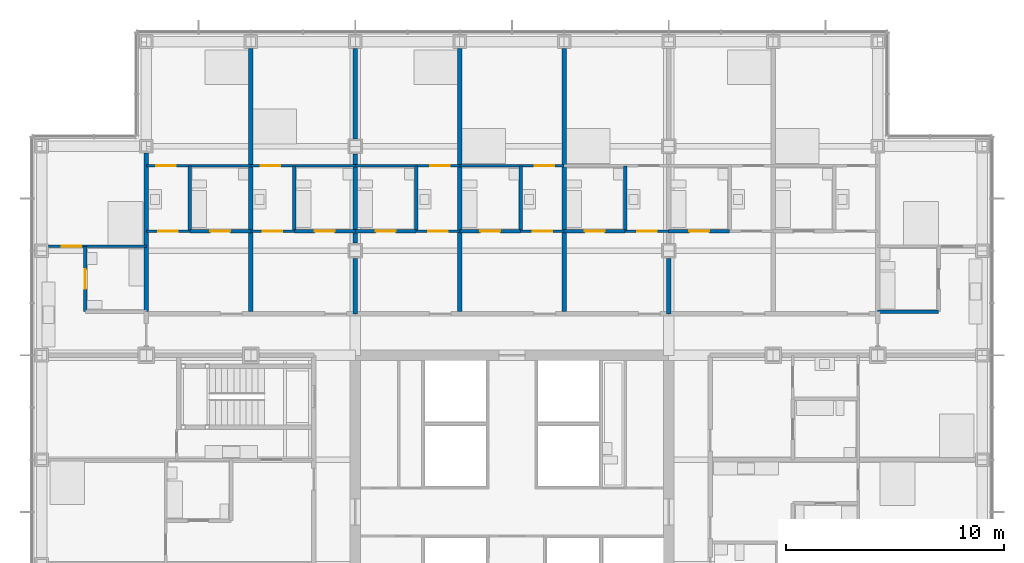
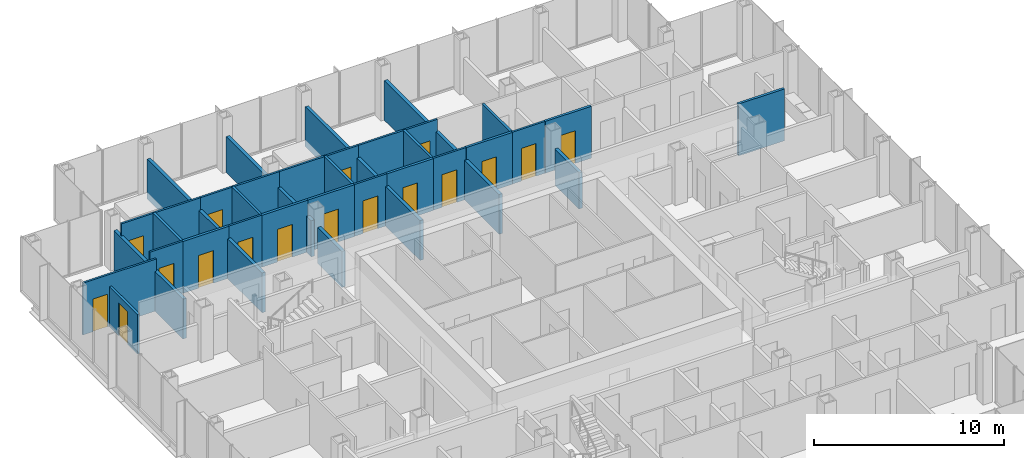
# One storey, part 18 of 22: 31 walls, 17 doors, 17 openings.
"""IFC4 building model written with IfcOpenShell, lengths in metres."""

from ifc_helpers import new_model, si_unit, direction, frame, frame_2d, origin, place, context, subcontext, project, spatial, rectangle, extrude, material, layer, layer_set, type_object, element, fill, save


model = new_model("IFC4")

# Units and contexts
model_context = context("Model", 3, precision=1e-05, world=origin(), true_north=direction((0.0, 1.0)))
body_context = subcontext(model_context, "Body", "Model", "MODEL_VIEW")
ifc_project = project(units=[si_unit("LENGTHUNIT", "METRE"), si_unit("AREAUNIT", "SQUARE_METRE"), si_unit("VOLUMEUNIT", "CUBIC_METRE"), si_unit("PLANEANGLEUNIT", "RADIAN"), si_unit("MASSUNIT", "GRAM", prefix="KILO")], contexts=[model_context])

# Site, building, storey
site_placement = place(None, origin())
site = spatial("IfcSite", under=ifc_project, at=site_placement, CompositionType="ELEMENT")
building_placement = place(site_placement, origin())
building = spatial("IfcBuilding", under=site, at=building_placement, Name="Kvirike Care Tower", CompositionType="ELEMENT")
storey_placement = place(building_placement, frame((0.0, 0.0, 69.0)))
storey = spatial("IfcBuildingStorey", under=building, at=storey_placement, Name="L18", CompositionType="ELEMENT", Elevation=69.0)

# Wall
ifc_material_1 = material(Name="Moisture-resistant board partition", Category="gypsum")
ifc_layer_1 = layer(ifc_material_1, 0.14990234375)
ifc_layer_set_1 = layer_set([ifc_layer_1], Name="BATHROOM WALL 150")
wall_type_1 = type_object("IfcWallType", Name="BATHROOM WALL 150", PredefinedType="PARTITIONING", material=ifc_layer_set_1)
wall_1_placement = place(storey_placement, frame((11.60009765625, 51.89990234375, 0.0), z_axis=(0.0, 0.0, 1.0), x_axis=(0.0, -1.0, 0.0)))
element("IfcWall", 1, at=wall_1_placement, inside=storey, type_object=wall_type_1, Name="Bathroom Wall 150 L18", PredefinedType="PARTITIONING", context=body_context, shape_type="SweptSolid", body=[
    extrude(rectangle(XDim=3.0, YDim=0.14990234375, at=frame_2d((1.5, 0.0))), origin(), (0.0, 0.0, 1.0), 3.330078125),
])

# Wall, opening, door
wall_2_placement = place(storey_placement, frame((14.39990234375, 48.89990234375, 0.0), z_axis=(0.0, 0.0, 1.0), x_axis=(-1.0, 0.0, 0.0)))
wall_2 = element("IfcWall", 2, at=wall_2_placement, inside=storey, type_object=wall_type_1, Name="Bathroom Wall 150 L18", PredefinedType="PARTITIONING", context=body_context, shape_type="SweptSolid", body=[
    extrude(rectangle(XDim=2.7998046875, YDim=0.14990234375, at=frame_2d((1.39990234375, 0.0))), origin(), (0.0, 0.0, 1.0), 3.330078125),
])
opening_1_placement = place(wall_2_placement, frame((0.949951171875, 0.0, 0.0)))
opening_1 = element("IfcOpeningElement", 3, at=opening_1_placement, cuts=wall_2, Name="Opening 18-022", PredefinedType="OPENING", context=body_context, shape_type="SweptSolid", body=[
    extrude(rectangle(XDim=0.89990234375, YDim=2.10009765625, at=frame_2d((0.449951171875, 1.050048828125))), frame((0.0, 0.08544921875, 0.0), z_axis=(0.0, -1.0, 0.0), x_axis=(1.0, 0.0, 0.0)), (0.0, 0.0, 1.0), 0.1708984375),
])
ifc_material_2 = material(Name="Timber door set", Category="wood")
door_type_1 = type_object("IfcDoorType", Name="BATHROOM DOOR 900", OperationType="SINGLE_SWING_RIGHT", PredefinedType="DOOR", material=ifc_material_2)
door_1_placement = place(opening_1_placement, frame((0.89990234375, 0.0, 0.0), z_axis=(0.0, 0.0, 1.0), x_axis=(-1.0, 0.0, 0.0)))
door_1 = element("IfcDoor", 4, at=door_1_placement, inside=storey, type_object=door_type_1, Name="Bathroom door", OperationType="SINGLE_SWING_LEFT", OverallHeight=2.10009765625, OverallWidth=0.89990234375, PredefinedType="DOOR", context=body_context, shape_type="SweptSolid", body=[
    extrude(rectangle(XDim=0.89990234375, YDim=2.10009765625, at=frame_2d((0.449951171875, 1.050048828125))), frame((0.0, 0.02197265625, 0.0), z_axis=(0.0, -1.0, 0.0), x_axis=(1.0, 0.0, 0.0)), (0.0, 0.0, 1.0), 0.0439453125),
])
fill(opening_1, door_1)

# Wall
wall_3_placement = place(storey_placement, frame((6.800048828125, 51.89990234375, 0.0), z_axis=(0.0, 0.0, 1.0), x_axis=(0.0, -1.0, 0.0)))
element("IfcWall", 5, at=wall_3_placement, inside=storey, type_object=wall_type_1, Name="Bathroom Wall 150 L18", PredefinedType="PARTITIONING", context=body_context, shape_type="SweptSolid", body=[
    extrude(rectangle(XDim=3.0, YDim=0.14990234375, at=frame_2d((1.5, 0.0))), origin(), (0.0, 0.0, 1.0), 3.330078125),
])

# Wall, opening, door
wall_4_placement = place(storey_placement, frame((9.60009765625, 48.89990234375, 0.0), z_axis=(0.0, 0.0, 1.0), x_axis=(-1.0, 0.0, 0.0)))
wall_4 = element("IfcWall", 6, at=wall_4_placement, inside=storey, type_object=wall_type_1, Name="Bathroom Wall 150 L18", PredefinedType="PARTITIONING", context=body_context, shape_type="SweptSolid", body=[
    extrude(rectangle(XDim=2.800048828125, YDim=0.14990234375, at=frame_2d((1.39990234375, 0.0))), origin(), (0.0, 0.0, 1.0), 3.330078125),
])
opening_2_placement = place(wall_4_placement, frame((0.949951171875, 0.0, 0.0)))
opening_2 = element("IfcOpeningElement", 7, at=opening_2_placement, cuts=wall_4, Name="Opening 18-025", PredefinedType="OPENING", context=body_context, shape_type="SweptSolid", body=[
    extrude(rectangle(XDim=0.89990234375, YDim=2.10009765625, at=frame_2d((0.449951171875, 1.050048828125))), frame((0.0, 0.08544921875, 0.0), z_axis=(0.0, -1.0, 0.0), x_axis=(1.0, 0.0, 0.0)), (0.0, 0.0, 1.0), 0.1708984375),
])
door_2_placement = place(opening_2_placement, frame((0.89990234375, 0.0, 0.0), z_axis=(0.0, 0.0, 1.0), x_axis=(-1.0, 0.0, 0.0)))
door_2 = element("IfcDoor", 8, at=door_2_placement, inside=storey, type_object=door_type_1, Name="Bathroom door", OperationType="SINGLE_SWING_RIGHT", OverallHeight=2.10009765625, OverallWidth=0.89990234375, PredefinedType="DOOR", context=body_context, shape_type="SweptSolid", body=[
    extrude(rectangle(XDim=0.89990234375, YDim=2.10009765625, at=frame_2d((0.449951171875, 1.050048828125))), frame((0.0, 0.02197265625, 0.0), z_axis=(0.0, -1.0, 0.0), x_axis=(1.0, 0.0, 0.0)), (0.0, 0.0, 1.0), 0.0439453125),
])
fill(opening_2, door_2)

wall_5_placement = place(storey_placement, frame((2.0, 48.199951171875, 0.0), z_axis=(0.0, 0.0, 1.0), x_axis=(0.0, -1.0, 0.0)))
wall_5 = element("IfcWall", 9, at=wall_5_placement, inside=storey, type_object=wall_type_1, Name="Bathroom Wall 150 L18", PredefinedType="PARTITIONING", context=body_context, shape_type="SweptSolid", body=[
    extrude(rectangle(XDim=3.0, YDim=0.14990234375, at=frame_2d((1.5, 0.0))), origin(), (0.0, 0.0, 1.0), 2.550048828125),
])
opening_3_placement = place(wall_5_placement, frame((1.050048828125, 0.0, 0.0)))
opening_3 = element("IfcOpeningElement", 10, at=opening_3_placement, cuts=wall_5, Name="Opening 18-028", PredefinedType="OPENING", context=body_context, shape_type="SweptSolid", body=[
    extrude(rectangle(XDim=0.89990234375, YDim=2.10009765625, at=frame_2d((0.449951171875, 1.050048828125))), frame((0.0, 0.08544921875, 0.0), z_axis=(0.0, -1.0, 0.0), x_axis=(1.0, 0.0, 0.0)), (0.0, 0.0, 1.0), 0.1708984375),
])
door_3_placement = place(opening_3_placement, origin())
door_3 = element("IfcDoor", 11, at=door_3_placement, inside=storey, type_object=door_type_1, Name="Bathroom door", OperationType="SINGLE_SWING_LEFT", OverallHeight=2.10009765625, OverallWidth=0.89990234375, PredefinedType="DOOR", context=body_context, shape_type="SweptSolid", body=[
    extrude(rectangle(XDim=0.89990234375, YDim=2.10009765625, at=frame_2d((0.449951171875, 1.050048828125))), frame((0.0, 0.02197265625, 0.0), z_axis=(0.0, -1.0, 0.0), x_axis=(1.0, 0.0, 0.0)), (0.0, 0.0, 1.0), 0.0439453125),
])
fill(opening_3, door_3)

# Wall
wall_6_placement = place(storey_placement, frame((26.800048828125, 51.89990234375, 0.0), z_axis=(0.0, 0.0, 1.0), x_axis=(0.0, -1.0, 0.0)))
element("IfcWall", 12, at=wall_6_placement, inside=storey, type_object=wall_type_1, Name="Bathroom Wall 150 L18", PredefinedType="PARTITIONING", context=body_context, shape_type="SweptSolid", body=[
    extrude(rectangle(XDim=3.0, YDim=0.14990234375, at=frame_2d((1.5, 0.0))), origin(), (0.0, 0.0, 1.0), 3.330078125),
])

# Wall, opening, door
wall_7_placement = place(storey_placement, frame((26.800048828125, 48.89990234375, 0.0), z_axis=(0.0, 0.0, 1.0), x_axis=(-1.0, 0.0, 0.0)))
wall_7 = element("IfcWall", 13, at=wall_7_placement, inside=storey, type_object=wall_type_1, Name="Bathroom Wall 150 L18", PredefinedType="PARTITIONING", context=body_context, shape_type="SweptSolid", body=[
    extrude(rectangle(XDim=2.800048828125, YDim=0.14990234375, at=frame_2d((1.39990234375, 0.0))), origin(), (0.0, 0.0, 1.0), 3.330078125),
])
opening_4_placement = place(wall_7_placement, frame((0.949951171875, 0.0, 0.0)))
opening_4 = element("IfcOpeningElement", 14, at=opening_4_placement, cuts=wall_7, Name="Opening 18-043", PredefinedType="OPENING", context=body_context, shape_type="SweptSolid", body=[
    extrude(rectangle(XDim=0.89990234375, YDim=2.10009765625, at=frame_2d((0.449951171875, 1.050048828125))), frame((0.0, 0.08544921875, 0.0), z_axis=(0.0, -1.0, 0.0), x_axis=(1.0, 0.0, 0.0)), (0.0, 0.0, 1.0), 0.1708984375),
])
door_4_placement = place(opening_4_placement, frame((0.89990234375, 0.0, 0.0), z_axis=(0.0, 0.0, 1.0), x_axis=(-1.0, 0.0, 0.0)))
door_4 = element("IfcDoor", 15, at=door_4_placement, inside=storey, type_object=door_type_1, Name="Bathroom door", OperationType="SINGLE_SWING_RIGHT", OverallHeight=2.10009765625, OverallWidth=0.89990234375, PredefinedType="DOOR", context=body_context, shape_type="SweptSolid", body=[
    extrude(rectangle(XDim=0.89990234375, YDim=2.10009765625, at=frame_2d((0.449951171875, 1.050048828125))), frame((0.0, 0.02197265625, 0.0), z_axis=(0.0, -1.0, 0.0), x_axis=(1.0, 0.0, 0.0)), (0.0, 0.0, 1.0), 0.0439453125),
])
fill(opening_4, door_4)

# Wall
wall_8_placement = place(storey_placement, frame((22.0, 51.89990234375, 0.0), z_axis=(0.0, 0.0, 1.0), x_axis=(0.0, -1.0, 0.0)))
element("IfcWall", 16, at=wall_8_placement, inside=storey, type_object=wall_type_1, Name="Bathroom Wall 150 L18", PredefinedType="PARTITIONING", context=body_context, shape_type="SweptSolid", body=[
    extrude(rectangle(XDim=3.0, YDim=0.14990234375, at=frame_2d((1.5, 0.0))), origin(), (0.0, 0.0, 1.0), 3.330078125),
])

# Wall, opening, door
wall_9_placement = place(storey_placement, frame((22.0, 48.89990234375, 0.0), z_axis=(0.0, 0.0, 1.0), x_axis=(-1.0, 0.0, 0.0)))
wall_9 = element("IfcWall", 17, at=wall_9_placement, inside=storey, type_object=wall_type_1, Name="Bathroom Wall 150 L18", PredefinedType="PARTITIONING", context=body_context, shape_type="SweptSolid", body=[
    extrude(rectangle(XDim=2.800048828125, YDim=0.14990234375, at=frame_2d((1.39990234375, 0.0))), origin(), (0.0, 0.0, 1.0), 3.330078125),
])
opening_5_placement = place(wall_9_placement, frame((0.949951171875, 0.0, 0.0)))
opening_5 = element("IfcOpeningElement", 18, at=opening_5_placement, cuts=wall_9, Name="Opening 18-046", PredefinedType="OPENING", context=body_context, shape_type="SweptSolid", body=[
    extrude(rectangle(XDim=0.89990234375, YDim=2.10009765625, at=frame_2d((0.449951171875, 1.050048828125))), frame((0.0, 0.08544921875, 0.0), z_axis=(0.0, -1.0, 0.0), x_axis=(1.0, 0.0, 0.0)), (0.0, 0.0, 1.0), 0.1708984375),
])
door_5_placement = place(opening_5_placement, frame((0.89990234375, 0.0, 0.0), z_axis=(0.0, 0.0, 1.0), x_axis=(-1.0, 0.0, 0.0)))
door_5 = element("IfcDoor", 19, at=door_5_placement, inside=storey, type_object=door_type_1, Name="Bathroom door", OperationType="SINGLE_SWING_LEFT", OverallHeight=2.10009765625, OverallWidth=0.89990234375, PredefinedType="DOOR", context=body_context, shape_type="SweptSolid", body=[
    extrude(rectangle(XDim=0.89990234375, YDim=2.10009765625, at=frame_2d((0.449951171875, 1.050048828125))), frame((0.0, 0.02197265625, 0.0), z_axis=(0.0, -1.0, 0.0), x_axis=(1.0, 0.0, 0.0)), (0.0, 0.0, 1.0), 0.0439453125),
])
fill(opening_5, door_5)

# Wall
wall_10_placement = place(storey_placement, frame((17.199951171875, 51.89990234375, 0.0), z_axis=(0.0, 0.0, 1.0), x_axis=(0.0, -1.0, 0.0)))
element("IfcWall", 20, at=wall_10_placement, inside=storey, type_object=wall_type_1, Name="Bathroom Wall 150 L18", PredefinedType="PARTITIONING", context=body_context, shape_type="SweptSolid", body=[
    extrude(rectangle(XDim=3.0, YDim=0.14990234375, at=frame_2d((1.5, 0.0))), origin(), (0.0, 0.0, 1.0), 3.330078125),
])

# Wall, opening, door
wall_11_placement = place(storey_placement, frame((17.199951171875, 48.89990234375, 0.0), z_axis=(0.0, 0.0, 1.0), x_axis=(-1.0, 0.0, 0.0)))
wall_11 = element("IfcWall", 21, at=wall_11_placement, inside=storey, type_object=wall_type_1, Name="Bathroom Wall 150 L18", PredefinedType="PARTITIONING", context=body_context, shape_type="SweptSolid", body=[
    extrude(rectangle(XDim=2.800048828125, YDim=0.14990234375, at=frame_2d((1.39990234375, 0.0))), origin(), (0.0, 0.0, 1.0), 3.330078125),
])
opening_6_placement = place(wall_11_placement, frame((0.949951171875, 0.0, 0.0)))
opening_6 = element("IfcOpeningElement", 22, at=opening_6_placement, cuts=wall_11, Name="Opening 18-049", PredefinedType="OPENING", context=body_context, shape_type="SweptSolid", body=[
    extrude(rectangle(XDim=0.89990234375, YDim=2.10009765625, at=frame_2d((0.449951171875, 1.050048828125))), frame((0.0, 0.08544921875, 0.0), z_axis=(0.0, -1.0, 0.0), x_axis=(1.0, 0.0, 0.0)), (0.0, 0.0, 1.0), 0.1708984375),
])
door_6_placement = place(opening_6_placement, frame((0.89990234375, 0.0, 0.0), z_axis=(0.0, 0.0, 1.0), x_axis=(-1.0, 0.0, 0.0)))
door_6 = element("IfcDoor", 23, at=door_6_placement, inside=storey, type_object=door_type_1, Name="Bathroom door", OperationType="SINGLE_SWING_RIGHT", OverallHeight=2.10009765625, OverallWidth=0.89990234375, PredefinedType="DOOR", context=body_context, shape_type="SweptSolid", body=[
    extrude(rectangle(XDim=0.89990234375, YDim=2.10009765625, at=frame_2d((0.449951171875, 1.050048828125))), frame((0.0, 0.02197265625, 0.0), z_axis=(0.0, -1.0, 0.0), x_axis=(1.0, 0.0, 0.0)), (0.0, 0.0, 1.0), 0.0439453125),
])
fill(opening_6, door_6)

# Wall
wall_12_placement = place(storey_placement, frame((41.199951171875, 45.199951171875, 0.0), z_axis=(0.0, 0.0, 1.0), x_axis=(-1.0, 0.0, 0.0)))
element("IfcWall", 24, at=wall_12_placement, inside=storey, type_object=wall_type_1, Name="Bathroom Wall 150 L18", PredefinedType="PARTITIONING", context=body_context, shape_type="SweptSolid", body=[
    extrude(rectangle(XDim=2.800048828125, YDim=0.14990234375, at=frame_2d((1.39990234375, 0.0))), origin(), (0.0, 0.0, 1.0), 3.330078125),
])

# Wall, opening, door
wall_13_placement = place(storey_placement, frame((31.60009765625, 48.89990234375, 0.0), z_axis=(0.0, 0.0, 1.0), x_axis=(-1.0, 0.0, 0.0)))
wall_13 = element("IfcWall", 25, at=wall_13_placement, inside=storey, type_object=wall_type_1, Name="Bathroom Wall 150 L18", PredefinedType="PARTITIONING", context=body_context, shape_type="SweptSolid", body=[
    extrude(rectangle(XDim=2.800048828125, YDim=0.14990234375, at=frame_2d((1.39990234375, 0.0))), origin(), (0.0, 0.0, 1.0), 3.330078125),
])
opening_7_placement = place(wall_13_placement, frame((0.949951171875, 0.0, 0.0)))
opening_7 = element("IfcOpeningElement", 26, at=opening_7_placement, cuts=wall_13, Name="Opening 18-081", PredefinedType="OPENING", context=body_context, shape_type="SweptSolid", body=[
    extrude(rectangle(XDim=0.89990234375, YDim=2.10009765625, at=frame_2d((0.449951171875, 1.050048828125))), frame((0.0, 0.08544921875, 0.0), z_axis=(0.0, -1.0, 0.0), x_axis=(1.0, 0.0, 0.0)), (0.0, 0.0, 1.0), 0.1708984375),
])
door_7_placement = place(opening_7_placement, frame((0.89990234375, 0.0, 0.0), z_axis=(0.0, 0.0, 1.0), x_axis=(-1.0, 0.0, 0.0)))
door_7 = element("IfcDoor", 27, at=door_7_placement, inside=storey, type_object=door_type_1, Name="Bathroom door", OperationType="SINGLE_SWING_RIGHT", OverallHeight=2.10009765625, OverallWidth=0.89990234375, PredefinedType="DOOR", context=body_context, shape_type="SweptSolid", body=[
    extrude(rectangle(XDim=0.89990234375, YDim=2.10009765625, at=frame_2d((0.449951171875, 1.050048828125))), frame((0.0, 0.02197265625, 0.0), z_axis=(0.0, -1.0, 0.0), x_axis=(1.0, 0.0, 0.0)), (0.0, 0.0, 1.0), 0.0439453125),
])
fill(opening_7, door_7)

ifc_material_3 = material(Name="Plasterboard partition", Category="gypsum")
ifc_layer_2 = layer(ifc_material_3, 0.1201171875)
ifc_layer_set_2 = layer_set([ifc_layer_2], Name="PARTITION 120")
wall_type_2 = type_object("IfcWallType", Name="PARTITION 120", PredefinedType="PARTITIONING", material=ifc_layer_set_2)
wall_14_placement = place(storey_placement, frame((11.60009765625, 48.89990234375, 0.0), z_axis=(0.0, 0.0, 1.0), x_axis=(-1.0, 0.0, 0.0)))
wall_14 = element("IfcWall", 28, at=wall_14_placement, inside=storey, type_object=wall_type_2, Name="Partition 120 L18", PredefinedType="PARTITIONING", context=body_context, shape_type="SweptSolid", body=[
    extrude(rectangle(XDim=2.0, YDim=0.1201171875, at=frame_2d((1.0, 0.0))), origin(), (0.0, 0.0, 1.0), 3.330078125),
])
opening_8_placement = place(wall_14_placement, frame((0.550048828125, 0.0, 0.0)))
opening_8 = element("IfcOpeningElement", 29, at=opening_8_placement, cuts=wall_14, Name="Opening 18-023", PredefinedType="OPENING", context=body_context, shape_type="SweptSolid", body=[
    extrude(rectangle(XDim=0.89990234375, YDim=2.10009765625, at=frame_2d((0.449951171875, 1.050048828125))), frame((0.0, 0.070556640625, 0.0), z_axis=(0.0, -1.0, 0.0), x_axis=(1.0, 0.0, 0.0)), (0.0, 0.0, 1.0), 0.14111328125),
])
ifc_material_4 = material(Name="Timber door set", Category="wood")
door_type_2 = type_object("IfcDoorType", Name="INTERNAL DOOR 900", OperationType="SINGLE_SWING_LEFT", PredefinedType="DOOR", material=ifc_material_4)
door_8_placement = place(opening_8_placement, frame((0.89990234375, 0.0, 0.0), z_axis=(0.0, 0.0, 1.0), x_axis=(-1.0, 0.0, 0.0)))
door_8 = element("IfcDoor", 30, at=door_8_placement, inside=storey, type_object=door_type_2, Name="Kitchen door", OperationType="SINGLE_SWING_RIGHT", OverallHeight=2.10009765625, OverallWidth=0.89990234375, PredefinedType="DOOR", context=body_context, shape_type="SweptSolid", body=[
    extrude(rectangle(XDim=0.89990234375, YDim=2.10009765625, at=frame_2d((0.449951171875, 1.050048828125))), frame((0.0, 0.02197265625, 0.0), z_axis=(0.0, -1.0, 0.0), x_axis=(1.0, 0.0, 0.0)), (0.0, 0.0, 1.0), 0.0439453125),
])
fill(opening_8, door_8)

wall_15_placement = place(storey_placement, frame((14.39990234375, 51.89990234375, 0.0), z_axis=(0.0, 0.0, 1.0), x_axis=(-1.0, 0.0, 0.0)))
wall_15 = element("IfcWall", 31, at=wall_15_placement, inside=storey, type_object=wall_type_2, Name="Partition 120 L18", PredefinedType="PARTITIONING", context=body_context, shape_type="SweptSolid", body=[
    extrude(rectangle(XDim=4.7998046875, YDim=0.1201171875, at=frame_2d((2.39990234375, 0.0))), origin(), (0.0, 0.0, 1.0), 3.330078125),
])
opening_9_placement = place(wall_15_placement, frame((3.449951171875, 0.0, 0.0)))
opening_9 = element("IfcOpeningElement", 32, at=opening_9_placement, cuts=wall_15, Name="Opening 18-024", PredefinedType="OPENING", context=body_context, shape_type="SweptSolid", body=[
    extrude(rectangle(XDim=0.89990234375, YDim=2.10009765625, at=frame_2d((0.449951171875, 1.050048828125))), frame((0.0, 0.070556640625, 0.0), z_axis=(0.0, -1.0, 0.0), x_axis=(1.0, 0.0, 0.0)), (0.0, 0.0, 1.0), 0.14111328125),
])
door_9_placement = place(opening_9_placement, origin())
door_9 = element("IfcDoor", 33, at=door_9_placement, inside=storey, type_object=door_type_2, Name="Studio apartment living room door", OperationType="SINGLE_SWING_LEFT", OverallHeight=2.10009765625, OverallWidth=0.89990234375, PredefinedType="DOOR", context=body_context, shape_type="SweptSolid", body=[
    extrude(rectangle(XDim=0.89990234375, YDim=2.10009765625, at=frame_2d((0.449951171875, 1.050048828125))), frame((0.0, 0.02197265625, 0.0), z_axis=(0.0, -1.0, 0.0), x_axis=(1.0, 0.0, 0.0)), (0.0, 0.0, 1.0), 0.0439453125),
])
fill(opening_9, door_9)

wall_16_placement = place(storey_placement, frame((6.800048828125, 48.89990234375, 0.0), z_axis=(0.0, 0.0, 1.0), x_axis=(-1.0, 0.0, 0.0)))
wall_16 = element("IfcWall", 34, at=wall_16_placement, inside=storey, type_object=wall_type_2, Name="Partition 120 L18", PredefinedType="PARTITIONING", context=body_context, shape_type="SweptSolid", body=[
    extrude(rectangle(XDim=2.0, YDim=0.1201171875, at=frame_2d((1.0, 0.0))), origin(), (0.0, 0.0, 1.0), 3.330078125),
])
opening_10_placement = place(wall_16_placement, frame((0.550048828125, 0.0, 0.0)))
opening_10 = element("IfcOpeningElement", 35, at=opening_10_placement, cuts=wall_16, Name="Opening 18-026", PredefinedType="OPENING", context=body_context, shape_type="SweptSolid", body=[
    extrude(rectangle(XDim=0.89990234375, YDim=2.10009765625, at=frame_2d((0.449951171875, 1.050048828125))), frame((0.0, 0.070556640625, 0.0), z_axis=(0.0, -1.0, 0.0), x_axis=(1.0, 0.0, 0.0)), (0.0, 0.0, 1.0), 0.14111328125),
])
door_10_placement = place(opening_10_placement, frame((0.89990234375, 0.0, 0.0), z_axis=(0.0, 0.0, 1.0), x_axis=(-1.0, 0.0, 0.0)))
door_10 = element("IfcDoor", 36, at=door_10_placement, inside=storey, type_object=door_type_2, Name="Kitchen door", OperationType="SINGLE_SWING_LEFT", OverallHeight=2.10009765625, OverallWidth=0.89990234375, PredefinedType="DOOR", context=body_context, shape_type="SweptSolid", body=[
    extrude(rectangle(XDim=0.89990234375, YDim=2.10009765625, at=frame_2d((0.449951171875, 1.050048828125))), frame((0.0, 0.02197265625, 0.0), z_axis=(0.0, -1.0, 0.0), x_axis=(1.0, 0.0, 0.0)), (0.0, 0.0, 1.0), 0.0439453125),
])
fill(opening_10, door_10)

wall_17_placement = place(storey_placement, frame((9.60009765625, 51.89990234375, 0.0), z_axis=(0.0, 0.0, 1.0), x_axis=(-1.0, 0.0, 0.0)))
wall_17 = element("IfcWall", 37, at=wall_17_placement, inside=storey, type_object=wall_type_2, Name="Partition 120 L18", PredefinedType="PARTITIONING", context=body_context, shape_type="SweptSolid", body=[
    extrude(rectangle(XDim=4.800048828125, YDim=0.1201171875, at=frame_2d((2.39990234375, 0.0))), origin(), (0.0, 0.0, 1.0), 3.330078125),
])
opening_11_placement = place(wall_17_placement, frame((3.449951171875, 0.0, 0.0)))
opening_11 = element("IfcOpeningElement", 38, at=opening_11_placement, cuts=wall_17, Name="Opening 18-027", PredefinedType="OPENING", context=body_context, shape_type="SweptSolid", body=[
    extrude(rectangle(XDim=0.89990234375, YDim=2.10009765625, at=frame_2d((0.449951171875, 1.050048828125))), frame((0.0, 0.070556640625, 0.0), z_axis=(0.0, -1.0, 0.0), x_axis=(1.0, 0.0, 0.0)), (0.0, 0.0, 1.0), 0.14111328125),
])
door_11_placement = place(opening_11_placement, origin())
door_11 = element("IfcDoor", 39, at=door_11_placement, inside=storey, type_object=door_type_2, Name="Studio apartment living room door", OperationType="SINGLE_SWING_LEFT", OverallHeight=2.10009765625, OverallWidth=0.89990234375, PredefinedType="DOOR", context=body_context, shape_type="SweptSolid", body=[
    extrude(rectangle(XDim=0.89990234375, YDim=2.10009765625, at=frame_2d((0.449951171875, 1.050048828125))), frame((0.0, 0.02197265625, 0.0), z_axis=(0.0, -1.0, 0.0), x_axis=(1.0, 0.0, 0.0)), (0.0, 0.0, 1.0), 0.0439453125),
])
fill(opening_11, door_11)

wall_18_placement = place(storey_placement, frame((4.800048828125, 48.199951171875, 0.0), z_axis=(0.0, 0.0, 1.0), x_axis=(-1.0, 0.0, 0.0)))
wall_18 = element("IfcWall", 40, at=wall_18_placement, inside=storey, type_object=wall_type_2, Name="Partition 120 L18", PredefinedType="PARTITIONING", context=body_context, shape_type="SweptSolid", body=[
    extrude(rectangle(XDim=4.47998046875, YDim=0.1201171875, at=frame_2d((2.239990234375, 0.0))), origin(), (0.0, 0.0, 1.0), 3.330078125),
])
opening_12_placement = place(wall_18_placement, frame((2.97509765625, 0.0, 0.0)))
opening_12 = element("IfcOpeningElement", 41, at=opening_12_placement, cuts=wall_18, Name="Opening 18-029", PredefinedType="OPENING", context=body_context, shape_type="SweptSolid", body=[
    extrude(rectangle(XDim=0.89990234375, YDim=2.10009765625, at=frame_2d((0.449951171875, 1.050048828125))), frame((0.0, 0.070556640625, 0.0), z_axis=(0.0, -1.0, 0.0), x_axis=(1.0, 0.0, 0.0)), (0.0, 0.0, 1.0), 0.14111328125),
])
door_12_placement = place(opening_12_placement, origin())
door_12 = element("IfcDoor", 42, at=door_12_placement, inside=storey, type_object=door_type_2, Name="Studio apartment living room door", OperationType="SINGLE_SWING_RIGHT", OverallHeight=2.10009765625, OverallWidth=0.89990234375, PredefinedType="DOOR", context=body_context, shape_type="SweptSolid", body=[
    extrude(rectangle(XDim=0.89990234375, YDim=2.10009765625, at=frame_2d((0.449951171875, 1.050048828125))), frame((0.0, 0.02197265625, 0.0), z_axis=(0.0, -1.0, 0.0), x_axis=(1.0, 0.0, 0.0)), (0.0, 0.0, 1.0), 0.0439453125),
])
fill(opening_12, door_12)

wall_19_placement = place(storey_placement, frame((28.800048828125, 48.89990234375, 0.0), z_axis=(0.0, 0.0, 1.0), x_axis=(-1.0, 0.0, 0.0)))
wall_19 = element("IfcWall", 43, at=wall_19_placement, inside=storey, type_object=wall_type_2, Name="Partition 120 L18", PredefinedType="PARTITIONING", context=body_context, shape_type="SweptSolid", body=[
    extrude(rectangle(XDim=2.0, YDim=0.1201171875, at=frame_2d((1.0, 0.0))), origin(), (0.0, 0.0, 1.0), 3.330078125),
])
opening_13_placement = place(wall_19_placement, frame((0.550048828125, 0.0, 0.0)))
opening_13 = element("IfcOpeningElement", 44, at=opening_13_placement, cuts=wall_19, Name="Opening 18-044", PredefinedType="OPENING", context=body_context, shape_type="SweptSolid", body=[
    extrude(rectangle(XDim=0.89990234375, YDim=2.10009765625, at=frame_2d((0.449951171875, 1.050048828125))), frame((0.0, 0.070556640625, 0.0), z_axis=(0.0, -1.0, 0.0), x_axis=(1.0, 0.0, 0.0)), (0.0, 0.0, 1.0), 0.14111328125),
])
door_13_placement = place(opening_13_placement, frame((0.89990234375, 0.0, 0.0), z_axis=(0.0, 0.0, 1.0), x_axis=(-1.0, 0.0, 0.0)))
door_13 = element("IfcDoor", 45, at=door_13_placement, inside=storey, type_object=door_type_2, Name="Kitchen door", OperationType="SINGLE_SWING_LEFT", OverallHeight=2.10009765625, OverallWidth=0.89990234375, PredefinedType="DOOR", context=body_context, shape_type="SweptSolid", body=[
    extrude(rectangle(XDim=0.89990234375, YDim=2.10009765625, at=frame_2d((0.449951171875, 1.050048828125))), frame((0.0, 0.02197265625, 0.0), z_axis=(0.0, -1.0, 0.0), x_axis=(1.0, 0.0, 0.0)), (0.0, 0.0, 1.0), 0.0439453125),
])
fill(opening_13, door_13)

wall_20_placement = place(storey_placement, frame((24.0, 48.89990234375, 0.0), z_axis=(0.0, 0.0, 1.0), x_axis=(-1.0, 0.0, 0.0)))
wall_20 = element("IfcWall", 46, at=wall_20_placement, inside=storey, type_object=wall_type_2, Name="Partition 120 L18", PredefinedType="PARTITIONING", context=body_context, shape_type="SweptSolid", body=[
    extrude(rectangle(XDim=2.0, YDim=0.1201171875, at=frame_2d((1.0, 0.0))), origin(), (0.0, 0.0, 1.0), 3.330078125),
])
opening_14_placement = place(wall_20_placement, frame((0.550048828125, 0.0, 0.0)))
opening_14 = element("IfcOpeningElement", 47, at=opening_14_placement, cuts=wall_20, Name="Opening 18-047", PredefinedType="OPENING", context=body_context, shape_type="SweptSolid", body=[
    extrude(rectangle(XDim=0.89990234375, YDim=2.10009765625, at=frame_2d((0.449951171875, 1.050048828125))), frame((0.0, 0.070556640625, 0.0), z_axis=(0.0, -1.0, 0.0), x_axis=(1.0, 0.0, 0.0)), (0.0, 0.0, 1.0), 0.14111328125),
])
door_14_placement = place(opening_14_placement, frame((0.89990234375, 0.0, 0.0), z_axis=(0.0, 0.0, 1.0), x_axis=(-1.0, 0.0, 0.0)))
door_14 = element("IfcDoor", 48, at=door_14_placement, inside=storey, type_object=door_type_2, Name="Kitchen door", OperationType="SINGLE_SWING_RIGHT", OverallHeight=2.10009765625, OverallWidth=0.89990234375, PredefinedType="DOOR", context=body_context, shape_type="SweptSolid", body=[
    extrude(rectangle(XDim=0.89990234375, YDim=2.10009765625, at=frame_2d((0.449951171875, 1.050048828125))), frame((0.0, 0.02197265625, 0.0), z_axis=(0.0, -1.0, 0.0), x_axis=(1.0, 0.0, 0.0)), (0.0, 0.0, 1.0), 0.0439453125),
])
fill(opening_14, door_14)

wall_21_placement = place(storey_placement, frame((24.0, 51.89990234375, 0.0), z_axis=(0.0, 0.0, 1.0), x_axis=(-1.0, 0.0, 0.0)))
wall_21 = element("IfcWall", 49, at=wall_21_placement, inside=storey, type_object=wall_type_2, Name="Partition 120 L18", PredefinedType="PARTITIONING", context=body_context, shape_type="SweptSolid", body=[
    extrude(rectangle(XDim=4.800048828125, YDim=0.1201171875, at=frame_2d((2.39990234375, 0.0))), origin(), (0.0, 0.0, 1.0), 3.330078125),
])
opening_15_placement = place(wall_21_placement, frame((0.449951171875, 0.0, 0.0)))
opening_15 = element("IfcOpeningElement", 50, at=opening_15_placement, cuts=wall_21, Name="Opening 18-048", PredefinedType="OPENING", context=body_context, shape_type="SweptSolid", body=[
    extrude(rectangle(XDim=0.89990234375, YDim=2.10009765625, at=frame_2d((0.449951171875, 1.050048828125))), frame((0.0, 0.070556640625, 0.0), z_axis=(0.0, -1.0, 0.0), x_axis=(1.0, 0.0, 0.0)), (0.0, 0.0, 1.0), 0.14111328125),
])
door_15_placement = place(opening_15_placement, origin())
door_15 = element("IfcDoor", 51, at=door_15_placement, inside=storey, type_object=door_type_2, Name="Studio apartment living room door", OperationType="SINGLE_SWING_RIGHT", OverallHeight=2.10009765625, OverallWidth=0.89990234375, PredefinedType="DOOR", context=body_context, shape_type="SweptSolid", body=[
    extrude(rectangle(XDim=0.89990234375, YDim=2.10009765625, at=frame_2d((0.449951171875, 1.050048828125))), frame((0.0, 0.02197265625, 0.0), z_axis=(0.0, -1.0, 0.0), x_axis=(1.0, 0.0, 0.0)), (0.0, 0.0, 1.0), 0.0439453125),
])
fill(opening_15, door_15)

wall_22_placement = place(storey_placement, frame((19.199951171875, 48.89990234375, 0.0), z_axis=(0.0, 0.0, 1.0), x_axis=(-1.0, 0.0, 0.0)))
wall_22 = element("IfcWall", 52, at=wall_22_placement, inside=storey, type_object=wall_type_2, Name="Partition 120 L18", PredefinedType="PARTITIONING", context=body_context, shape_type="SweptSolid", body=[
    extrude(rectangle(XDim=2.0, YDim=0.1201171875, at=frame_2d((1.0, 0.0))), origin(), (0.0, 0.0, 1.0), 3.330078125),
])
opening_16_placement = place(wall_22_placement, frame((0.550048828125, 0.0, 0.0)))
opening_16 = element("IfcOpeningElement", 53, at=opening_16_placement, cuts=wall_22, Name="Opening 18-050", PredefinedType="OPENING", context=body_context, shape_type="SweptSolid", body=[
    extrude(rectangle(XDim=0.89990234375, YDim=2.10009765625, at=frame_2d((0.449951171875, 1.050048828125))), frame((0.0, 0.070556640625, 0.0), z_axis=(0.0, -1.0, 0.0), x_axis=(1.0, 0.0, 0.0)), (0.0, 0.0, 1.0), 0.14111328125),
])
door_16_placement = place(opening_16_placement, frame((0.89990234375, 0.0, 0.0), z_axis=(0.0, 0.0, 1.0), x_axis=(-1.0, 0.0, 0.0)))
door_16 = element("IfcDoor", 54, at=door_16_placement, inside=storey, type_object=door_type_2, Name="Kitchen door", OperationType="SINGLE_SWING_RIGHT", OverallHeight=2.10009765625, OverallWidth=0.89990234375, PredefinedType="DOOR", context=body_context, shape_type="SweptSolid", body=[
    extrude(rectangle(XDim=0.89990234375, YDim=2.10009765625, at=frame_2d((0.449951171875, 1.050048828125))), frame((0.0, 0.02197265625, 0.0), z_axis=(0.0, -1.0, 0.0), x_axis=(1.0, 0.0, 0.0)), (0.0, 0.0, 1.0), 0.0439453125),
])
fill(opening_16, door_16)

wall_23_placement = place(storey_placement, frame((19.199951171875, 51.89990234375, 0.0), z_axis=(0.0, 0.0, 1.0), x_axis=(-1.0, 0.0, 0.0)))
wall_23 = element("IfcWall", 55, at=wall_23_placement, inside=storey, type_object=wall_type_2, Name="Partition 120 L18", PredefinedType="PARTITIONING", context=body_context, shape_type="SweptSolid", body=[
    extrude(rectangle(XDim=4.800048828125, YDim=0.1201171875, at=frame_2d((2.39990234375, 0.0))), origin(), (0.0, 0.0, 1.0), 3.330078125),
])
opening_17_placement = place(wall_23_placement, frame((0.449951171875, 0.0, 0.0)))
opening_17 = element("IfcOpeningElement", 56, at=opening_17_placement, cuts=wall_23, Name="Opening 18-051", PredefinedType="OPENING", context=body_context, shape_type="SweptSolid", body=[
    extrude(rectangle(XDim=0.89990234375, YDim=2.10009765625, at=frame_2d((0.449951171875, 1.050048828125))), frame((0.0, 0.070556640625, 0.0), z_axis=(0.0, -1.0, 0.0), x_axis=(1.0, 0.0, 0.0)), (0.0, 0.0, 1.0), 0.14111328125),
])
door_17_placement = place(opening_17_placement, origin())
door_17 = element("IfcDoor", 57, at=door_17_placement, inside=storey, type_object=door_type_2, Name="Studio apartment living room door", OperationType="SINGLE_SWING_RIGHT", OverallHeight=2.10009765625, OverallWidth=0.89990234375, PredefinedType="DOOR", context=body_context, shape_type="SweptSolid", body=[
    extrude(rectangle(XDim=0.89990234375, YDim=2.10009765625, at=frame_2d((0.449951171875, 1.050048828125))), frame((0.0, 0.02197265625, 0.0), z_axis=(0.0, -1.0, 0.0), x_axis=(1.0, 0.0, 0.0)), (0.0, 0.0, 1.0), 0.0439453125),
])
fill(opening_17, door_17)

# Walls
ifc_material_5 = material(Name="Plasterboard party wall", Category="gypsum")
ifc_layer_3 = layer(ifc_material_5, 0.199951171875)
ifc_layer_set_3 = layer_set([ifc_layer_3], Name="PARTY WALL 200")
wall_type_3 = type_object("IfcWallType", Name="PARTY WALL 200", PredefinedType="PARTITIONING", material=ifc_layer_set_3)
wall_24_placement = place(storey_placement, frame((9.60009765625, 57.280029296875, 0.0), z_axis=(0.0, 0.0, 1.0), x_axis=(0.0, -1.0, 0.0)))
element("IfcWall", 58, at=wall_24_placement, inside=storey, type_object=wall_type_3, Name="Party Wall 200 L18", PredefinedType="PARTITIONING", context=body_context, shape_type="SweptSolid", body=[
    extrude(rectangle(XDim=12.080078125, YDim=0.199951171875, at=frame_2d((6.0400390625, 0.0))), origin(), (0.0, 0.0, 1.0), 2.550048828125),
])
wall_25_placement = place(storey_placement, frame((4.800048828125, 52.47998046875, 0.0), z_axis=(0.0, 0.0, 1.0), x_axis=(0.0, -1.0, 0.0)))
element("IfcWall", 59, at=wall_25_placement, inside=storey, type_object=wall_type_3, Name="Party Wall 200 L18", PredefinedType="PARTITIONING", context=body_context, shape_type="SweptSolid", body=[
    extrude(rectangle(XDim=7.280029296875, YDim=0.199951171875, at=frame_2d((3.64013671875, 0.0))), origin(), (0.0, 0.0, 1.0), 2.550048828125),
])
for number, where, z_axis, x_axis, name in (
    (60, (24.0, 57.280029296875, 0.0), (0.0, 0.0, 1.0), (0.0, -1.0, 0.0), "Party Wall 200 L18"),
    (61, (19.199951171875, 57.280029296875, 0.0), (0.0, 0.0, 1.0), (0.0, -1.0, 0.0), "Party Wall 200 L18"),
):
    element("IfcWall", number, at=place(storey_placement, frame(where, z_axis=z_axis, x_axis=x_axis)), inside=storey, type_object=wall_type_3, Name=name, PredefinedType="PARTITIONING", context=body_context, shape_type="SweptSolid", body=[
        extrude(rectangle(XDim=12.080078125, YDim=0.199951171875, at=frame_2d((6.0400390625, 0.0))), origin(), (0.0, 0.0, 1.0), 2.550048828125),
    ])
wall_26_placement = place(storey_placement, frame((14.39990234375, 45.10009765625, 0.0), z_axis=(0.0, 0.0, 1.0), x_axis=(0.0, 1.0, 0.0)))
element("IfcWall", 62, at=wall_26_placement, inside=storey, type_object=wall_type_3, Name="Party Wall 200 L18", PredefinedType="PARTITIONING", context=body_context, shape_type="SweptSolid", body=[
    extrude(rectangle(XDim=2.554931640625, YDim=0.199951171875, at=frame_2d((1.27734375, 0.0))), origin(), (0.0, 0.0, 1.0), 2.320068359375),
])
wall_27_placement = place(storey_placement, frame((14.39990234375, 48.344970703125, 0.0), z_axis=(0.0, 0.0, 1.0), x_axis=(0.0, 1.0, 0.0)))
element("IfcWall", 63, at=wall_27_placement, inside=storey, type_object=wall_type_3, Name="Party Wall 200 L18", PredefinedType="PARTITIONING", context=body_context, shape_type="SweptSolid", body=[
    extrude(rectangle(XDim=4.110107421875, YDim=0.199951171875, at=frame_2d((2.05517578125, 0.0))), origin(), (0.0, 0.0, 1.0), 2.320068359375),
])
wall_28_placement = place(storey_placement, frame((14.39990234375, 53.14501953125, 0.0), z_axis=(0.0, 0.0, 1.0), x_axis=(0.0, 1.0, 0.0)))
element("IfcWall", 64, at=wall_28_placement, inside=storey, type_object=wall_type_3, Name="Party Wall 200 L18", PredefinedType="PARTITIONING", context=body_context, shape_type="SweptSolid", body=[
    extrude(rectangle(XDim=4.135009765625, YDim=0.199951171875, at=frame_2d((2.0673828125, 0.0))), origin(), (0.0, 0.0, 1.0), 2.320068359375),
])
wall_29_placement = place(storey_placement, frame((28.800048828125, 45.10009765625, 0.0), z_axis=(0.0, 0.0, 1.0), x_axis=(0.0, 1.0, 0.0)))
element("IfcWall", 65, at=wall_29_placement, inside=storey, type_object=wall_type_3, Name="Party Wall 200 L18", PredefinedType="PARTITIONING", context=body_context, shape_type="SweptSolid", body=[
    extrude(rectangle(XDim=2.554931640625, YDim=0.199951171875, at=frame_2d((1.27734375, 0.0))), origin(), (0.0, 0.0, 1.0), 2.320068359375),
])

save(model, "model.ifc")
